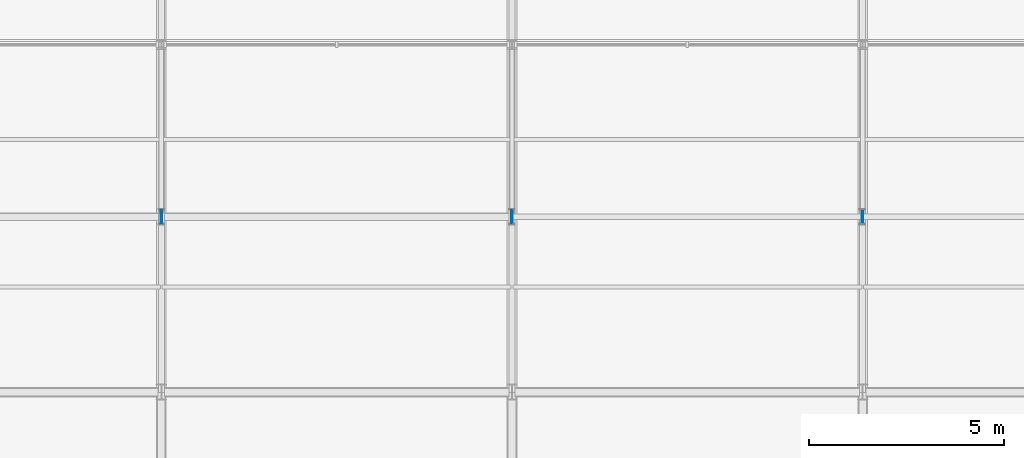
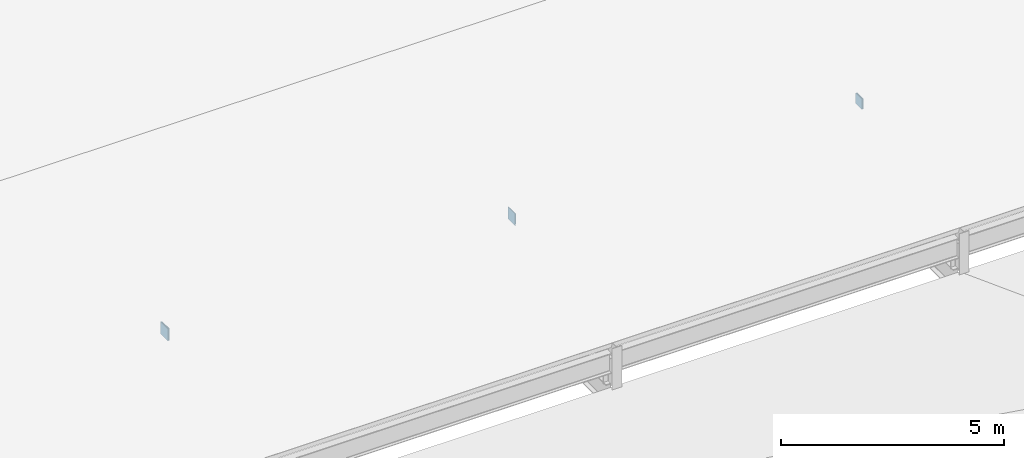
# One storey, part 122 of 163: 6 plates.
"""IFC4 building model written with IfcOpenShell, lengths in metres."""

from ifc_helpers import new_model, si_unit, direction, frame, origin, origin_2d, place, context, subcontext, project, spatial, rectangle, extrude, material, layer, layer_set, type_object, element, save


model = new_model("IFC4")

# Units and contexts
model_context = context("Model", 3, precision=1e-05, world=origin(), true_north=direction((0.0, 1.0)))
body_context = subcontext(model_context, "Body", "Model", "MODEL_VIEW")
ifc_project = project(units=[si_unit("LENGTHUNIT", "METRE"), si_unit("AREAUNIT", "SQUARE_METRE"), si_unit("VOLUMEUNIT", "CUBIC_METRE"), si_unit("PLANEANGLEUNIT", "RADIAN"), si_unit("MASSUNIT", "GRAM", prefix="KILO")], contexts=[model_context])

# Site, building, storey
site_placement = place(None, origin())
site = spatial("IfcSite", under=ifc_project, at=site_placement, CompositionType="ELEMENT")
building_placement = place(site_placement, origin())
building = spatial("IfcBuilding", under=site, at=building_placement, Name="Tharagai Park Tramway Depot", CompositionType="ELEMENT")
storey_placement = place(building_placement, frame((0.0, 0.0, 8.39990234375)))
storey = spatial("IfcBuildingStorey", under=building, at=storey_placement, Name="L02", CompositionType="ELEMENT", Elevation=8.39990234375)

# Plates
ifc_material = material(Name="Steel E350", Category="steel")
ifc_layer = layer(ifc_material, 0.011962890625)
ifc_layer_set = layer_set([ifc_layer], Name="Steel E350")
plate_type = type_object("IfcPlateType", Name="GP-04", PredefinedType="SHEET", material=ifc_layer_set)
for number, where, z_axis, x_axis, name in (
    (1, (35.986083984375, 94.5, 1.781494140625), (0.0, 0.0, 1.0), (1.0, 0.0, 0.0), "Tube End Cap Plate GP-04"),
    (2, (36.013916015625, 94.5, 1.781494140625), (0.0, 0.0, 1.0), (1.0, 0.0, 0.0), "Tube End Cap Plate GP-04"),
    (3, (44.986083984375, 94.5, 1.781494140625), (0.0, 0.0, 1.0), (1.0, 0.0, 0.0), "Tube End Cap Plate GP-04"),
):
    element("IfcPlate", number, at=place(storey_placement, frame(where, z_axis=z_axis, x_axis=x_axis)), inside=storey, type_object=plate_type, Name=name, PredefinedType="SHEET", context=body_context, shape_type="SweptSolid", body=[
        extrude(rectangle(XDim=0.011962890625, YDim=0.330078125, at=origin_2d()), origin(), (0.0, 0.0, 1.0), 0.330078125),
    ])
for number, where, z_axis, x_axis, name in (
    (4, (45.013916015625, 94.5, 1.806640625), (0.0, 0.0, 1.0), (1.0, 0.0, 0.0), "Tube End Cap Plate GP-04"),
    (5, (53.986083984375, 94.5, 1.806640625), (0.0, 0.0, 1.0), (1.0, 0.0, 0.0), "Tube End Cap Plate GP-04"),
    (6, (54.013916015625, 94.5, 1.806640625), (0.0, 0.0, 1.0), (1.0, 0.0, 0.0), "Tube End Cap Plate GP-04"),
):
    element("IfcPlate", number, at=place(storey_placement, frame(where, z_axis=z_axis, x_axis=x_axis)), inside=storey, type_object=plate_type, Name=name, PredefinedType="SHEET", context=body_context, shape_type="SweptSolid", body=[
        extrude(rectangle(XDim=0.011962890625, YDim=0.280029296875, at=origin_2d()), origin(), (0.0, 0.0, 1.0), 0.280029296875),
    ])

save(model, "model.ifc")
